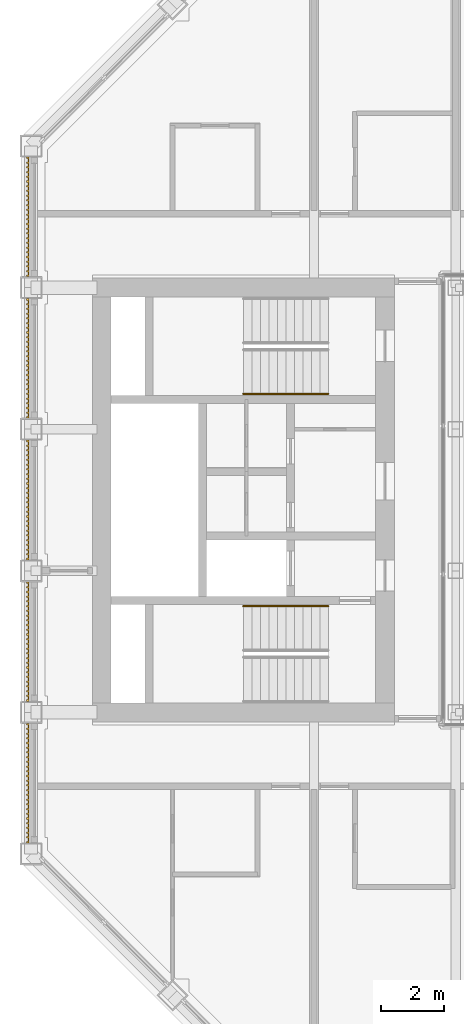
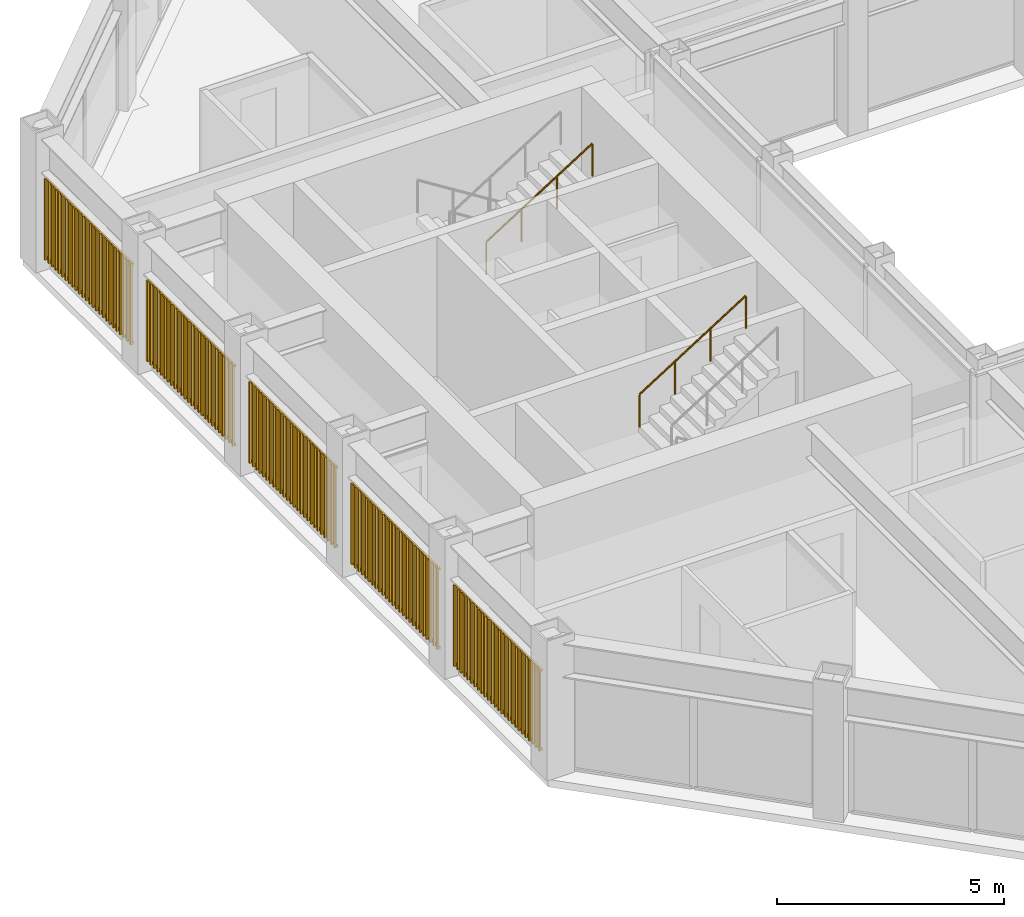
# One storey, part 15 of 17: 2 railings, 1 shading device.
"""IFC4 building model written with IfcOpenShell, lengths in metres."""

from ifc_helpers import new_model, si_unit, direction, frame, origin, origin_2d, place, context, subcontext, project, spatial, rectangle, circle, extrude, material, type_object, element, save


model = new_model("IFC4")

# Units and contexts
model_context = context("Model", 3, precision=1e-05, world=origin(), true_north=direction((0.0, 1.0)))
body_context = subcontext(model_context, "Body", "Model", "MODEL_VIEW")
ifc_project = project(units=[si_unit("LENGTHUNIT", "METRE"), si_unit("AREAUNIT", "SQUARE_METRE"), si_unit("VOLUMEUNIT", "CUBIC_METRE"), si_unit("PLANEANGLEUNIT", "RADIAN"), si_unit("MASSUNIT", "GRAM", prefix="KILO")], contexts=[model_context])

# Site, building, storey
site_placement = place(None, origin())
site = spatial("IfcSite", under=ifc_project, at=site_placement, CompositionType="ELEMENT")
building_placement = place(site_placement, origin())
building = spatial("IfcBuilding", under=site, at=building_placement, Name="Msasa Ring Tower", CompositionType="ELEMENT")
storey_placement = place(building_placement, frame((0.0, 0.0, 242.050048828125)))
storey = spatial("IfcBuildingStorey", under=building, at=storey_placement, Name="L63", CompositionType="ELEMENT", Elevation=242.050048828125)

# Shading device
ifc_material_1 = material(Name="Extruded terracotta on aluminium carriers", Category="masonry")
shading_device_type = type_object("IfcShadingDeviceType", Name="BS1 TERRACOTTA BAGUETTE SCREEN 50x50 AT 150", PredefinedType="USERDEFINED", material=ifc_material_1)
shading_device_placement = place(storey_placement, origin())
element("IfcShadingDevice", 1, at=shading_device_placement, inside=storey, type_object=shading_device_type, Name="Terracotta baguette screen W L63", ObjectType="BAGUETTE", PredefinedType="USERDEFINED", context=body_context, shape_type="SweptSolid", body=[
    extrude(rectangle(XDim=0.06005859375, YDim=0.0400390625, at=origin_2d()), frame((-20.330078125, -10.89990234375, 0.329833984375), z_axis=(0.0, 1.0, 0.0), x_axis=(0.0, 0.0, 1.0)), (0.0, 0.0, 1.0), 3.800048828125),
    extrude(rectangle(XDim=0.06005859375, YDim=0.0400390625, at=origin_2d()), frame((-20.330078125, -10.89990234375, 2.448974609375), z_axis=(0.0, 1.0, 0.0), x_axis=(0.0, 0.0, 1.0)), (0.0, 0.0, 1.0), 3.800048828125),
    extrude(rectangle(XDim=0.050048828125, YDim=0.050048828125, at=origin_2d()), frame((-20.3701171875, -10.875, 0.300048828125), z_axis=(0.0, 0.0, 1.0), x_axis=(0.0, 1.0, 0.0)), (0.0, 0.0, 1.0), 2.178955078125),
    extrude(rectangle(XDim=0.050048828125, YDim=0.050048828125, at=origin_2d()), frame((-20.3701171875, -10.72509765625, 0.300048828125), z_axis=(0.0, 0.0, 1.0), x_axis=(0.0, 1.0, 0.0)), (0.0, 0.0, 1.0), 2.178955078125),
    extrude(rectangle(XDim=0.050048828125, YDim=0.050048828125, at=origin_2d()), frame((-20.3701171875, -10.574951171875, 0.300048828125), z_axis=(0.0, 0.0, 1.0), x_axis=(0.0, 1.0, 0.0)), (0.0, 0.0, 1.0), 2.178955078125),
    extrude(rectangle(XDim=0.050048828125, YDim=0.050048828125, at=origin_2d()), frame((-20.3701171875, -10.425048828125, 0.300048828125), z_axis=(0.0, 0.0, 1.0), x_axis=(0.0, 1.0, 0.0)), (0.0, 0.0, 1.0), 2.178955078125),
    extrude(rectangle(XDim=0.050048828125, YDim=0.050048828125, at=origin_2d()), frame((-20.3701171875, -10.27490234375, 0.300048828125), z_axis=(0.0, 0.0, 1.0), x_axis=(0.0, 1.0, 0.0)), (0.0, 0.0, 1.0), 2.178955078125),
    extrude(rectangle(XDim=0.050048828125, YDim=0.050048828125, at=origin_2d()), frame((-20.3701171875, -10.125, 0.300048828125), z_axis=(0.0, 0.0, 1.0), x_axis=(0.0, 1.0, 0.0)), (0.0, 0.0, 1.0), 2.178955078125),
    extrude(rectangle(XDim=0.050048828125, YDim=0.050048828125, at=origin_2d()), frame((-20.3701171875, -9.97509765625, 0.300048828125), z_axis=(0.0, 0.0, 1.0), x_axis=(0.0, 1.0, 0.0)), (0.0, 0.0, 1.0), 2.178955078125),
    extrude(rectangle(XDim=0.050048828125, YDim=0.050048828125, at=origin_2d()), frame((-20.3701171875, -9.824951171875, 0.300048828125), z_axis=(0.0, 0.0, 1.0), x_axis=(0.0, 1.0, 0.0)), (0.0, 0.0, 1.0), 2.178955078125),
    extrude(rectangle(XDim=0.050048828125, YDim=0.050048828125, at=origin_2d()), frame((-20.3701171875, -9.675048828125, 0.300048828125), z_axis=(0.0, 0.0, 1.0), x_axis=(0.0, 1.0, 0.0)), (0.0, 0.0, 1.0), 2.178955078125),
    extrude(rectangle(XDim=0.050048828125, YDim=0.050048828125, at=origin_2d()), frame((-20.3701171875, -9.52490234375, 0.300048828125), z_axis=(0.0, 0.0, 1.0), x_axis=(0.0, 1.0, 0.0)), (0.0, 0.0, 1.0), 2.178955078125),
    extrude(rectangle(XDim=0.050048828125, YDim=0.050048828125, at=origin_2d()), frame((-20.3701171875, -9.375, 0.300048828125), z_axis=(0.0, 0.0, 1.0), x_axis=(0.0, 1.0, 0.0)), (0.0, 0.0, 1.0), 2.178955078125),
    extrude(rectangle(XDim=0.050048828125, YDim=0.050048828125, at=origin_2d()), frame((-20.3701171875, -9.22509765625, 0.300048828125), z_axis=(0.0, 0.0, 1.0), x_axis=(0.0, 1.0, 0.0)), (0.0, 0.0, 1.0), 2.178955078125),
    extrude(rectangle(XDim=0.050048828125, YDim=0.050048828125, at=origin_2d()), frame((-20.3701171875, -9.074951171875, 0.300048828125), z_axis=(0.0, 0.0, 1.0), x_axis=(0.0, 1.0, 0.0)), (0.0, 0.0, 1.0), 2.178955078125),
    extrude(rectangle(XDim=0.050048828125, YDim=0.050048828125, at=origin_2d()), frame((-20.3701171875, -8.925048828125, 0.300048828125), z_axis=(0.0, 0.0, 1.0), x_axis=(0.0, 1.0, 0.0)), (0.0, 0.0, 1.0), 2.178955078125),
    extrude(rectangle(XDim=0.050048828125, YDim=0.050048828125, at=origin_2d()), frame((-20.3701171875, -8.77490234375, 0.300048828125), z_axis=(0.0, 0.0, 1.0), x_axis=(0.0, 1.0, 0.0)), (0.0, 0.0, 1.0), 2.178955078125),
    extrude(rectangle(XDim=0.050048828125, YDim=0.050048828125, at=origin_2d()), frame((-20.3701171875, -8.625, 0.300048828125), z_axis=(0.0, 0.0, 1.0), x_axis=(0.0, 1.0, 0.0)), (0.0, 0.0, 1.0), 2.178955078125),
    extrude(rectangle(XDim=0.050048828125, YDim=0.050048828125, at=origin_2d()), frame((-20.3701171875, -8.47509765625, 0.300048828125), z_axis=(0.0, 0.0, 1.0), x_axis=(0.0, 1.0, 0.0)), (0.0, 0.0, 1.0), 2.178955078125),
    extrude(rectangle(XDim=0.050048828125, YDim=0.050048828125, at=origin_2d()), frame((-20.3701171875, -8.324951171875, 0.300048828125), z_axis=(0.0, 0.0, 1.0), x_axis=(0.0, 1.0, 0.0)), (0.0, 0.0, 1.0), 2.178955078125),
    extrude(rectangle(XDim=0.050048828125, YDim=0.050048828125, at=origin_2d()), frame((-20.3701171875, -8.175048828125, 0.300048828125), z_axis=(0.0, 0.0, 1.0), x_axis=(0.0, 1.0, 0.0)), (0.0, 0.0, 1.0), 2.178955078125),
    extrude(rectangle(XDim=0.050048828125, YDim=0.050048828125, at=origin_2d()), frame((-20.3701171875, -8.02490234375, 0.300048828125), z_axis=(0.0, 0.0, 1.0), x_axis=(0.0, 1.0, 0.0)), (0.0, 0.0, 1.0), 2.178955078125),
    extrude(rectangle(XDim=0.050048828125, YDim=0.050048828125, at=origin_2d()), frame((-20.3701171875, -7.875, 0.300048828125), z_axis=(0.0, 0.0, 1.0), x_axis=(0.0, 1.0, 0.0)), (0.0, 0.0, 1.0), 2.178955078125),
    extrude(rectangle(XDim=0.050048828125, YDim=0.050048828125, at=origin_2d()), frame((-20.3701171875, -7.72509765625, 0.300048828125), z_axis=(0.0, 0.0, 1.0), x_axis=(0.0, 1.0, 0.0)), (0.0, 0.0, 1.0), 2.178955078125),
    extrude(rectangle(XDim=0.050048828125, YDim=0.050048828125, at=origin_2d()), frame((-20.3701171875, -7.574951171875, 0.300048828125), z_axis=(0.0, 0.0, 1.0), x_axis=(0.0, 1.0, 0.0)), (0.0, 0.0, 1.0), 2.178955078125),
    extrude(rectangle(XDim=0.050048828125, YDim=0.050048828125, at=origin_2d()), frame((-20.3701171875, -7.425048828125, 0.300048828125), z_axis=(0.0, 0.0, 1.0), x_axis=(0.0, 1.0, 0.0)), (0.0, 0.0, 1.0), 2.178955078125),
    extrude(rectangle(XDim=0.050048828125, YDim=0.050048828125, at=origin_2d()), frame((-20.3701171875, -7.27490234375, 0.300048828125), z_axis=(0.0, 0.0, 1.0), x_axis=(0.0, 1.0, 0.0)), (0.0, 0.0, 1.0), 2.178955078125),
    extrude(rectangle(XDim=0.050048828125, YDim=0.050048828125, at=origin_2d()), frame((-20.3701171875, -7.125, 0.300048828125), z_axis=(0.0, 0.0, 1.0), x_axis=(0.0, 1.0, 0.0)), (0.0, 0.0, 1.0), 2.178955078125),
    extrude(rectangle(XDim=0.06005859375, YDim=0.0400390625, at=origin_2d()), frame((-20.330078125, -6.39990234375, 0.329833984375), z_axis=(0.0, 1.0, 0.0), x_axis=(0.0, 0.0, 1.0)), (0.0, 0.0, 1.0), 3.800048828125),
    extrude(rectangle(XDim=0.06005859375, YDim=0.0400390625, at=origin_2d()), frame((-20.330078125, -6.39990234375, 2.448974609375), z_axis=(0.0, 1.0, 0.0), x_axis=(0.0, 0.0, 1.0)), (0.0, 0.0, 1.0), 3.800048828125),
    extrude(rectangle(XDim=0.050048828125, YDim=0.050048828125, at=origin_2d()), frame((-20.3701171875, -6.375, 0.300048828125), z_axis=(0.0, 0.0, 1.0), x_axis=(0.0, 1.0, 0.0)), (0.0, 0.0, 1.0), 2.178955078125),
    extrude(rectangle(XDim=0.050048828125, YDim=0.050048828125, at=origin_2d()), frame((-20.3701171875, -6.22509765625, 0.300048828125), z_axis=(0.0, 0.0, 1.0), x_axis=(0.0, 1.0, 0.0)), (0.0, 0.0, 1.0), 2.178955078125),
    extrude(rectangle(XDim=0.050048828125, YDim=0.050048828125, at=origin_2d()), frame((-20.3701171875, -6.074951171875, 0.300048828125), z_axis=(0.0, 0.0, 1.0), x_axis=(0.0, 1.0, 0.0)), (0.0, 0.0, 1.0), 2.178955078125),
    extrude(rectangle(XDim=0.050048828125, YDim=0.050048828125, at=origin_2d()), frame((-20.3701171875, -5.925048828125, 0.300048828125), z_axis=(0.0, 0.0, 1.0), x_axis=(0.0, 1.0, 0.0)), (0.0, 0.0, 1.0), 2.178955078125),
    extrude(rectangle(XDim=0.050048828125, YDim=0.050048828125, at=origin_2d()), frame((-20.3701171875, -5.77490234375, 0.300048828125), z_axis=(0.0, 0.0, 1.0), x_axis=(0.0, 1.0, 0.0)), (0.0, 0.0, 1.0), 2.178955078125),
    extrude(rectangle(XDim=0.050048828125, YDim=0.050048828125, at=origin_2d()), frame((-20.3701171875, -5.625, 0.300048828125), z_axis=(0.0, 0.0, 1.0), x_axis=(0.0, 1.0, 0.0)), (0.0, 0.0, 1.0), 2.178955078125),
    extrude(rectangle(XDim=0.050048828125, YDim=0.050048828125, at=origin_2d()), frame((-20.3701171875, -5.47509765625, 0.300048828125), z_axis=(0.0, 0.0, 1.0), x_axis=(0.0, 1.0, 0.0)), (0.0, 0.0, 1.0), 2.178955078125),
    extrude(rectangle(XDim=0.050048828125, YDim=0.050048828125, at=origin_2d()), frame((-20.3701171875, -5.324951171875, 0.300048828125), z_axis=(0.0, 0.0, 1.0), x_axis=(0.0, 1.0, 0.0)), (0.0, 0.0, 1.0), 2.178955078125),
    extrude(rectangle(XDim=0.050048828125, YDim=0.050048828125, at=origin_2d()), frame((-20.3701171875, -5.175048828125, 0.300048828125), z_axis=(0.0, 0.0, 1.0), x_axis=(0.0, 1.0, 0.0)), (0.0, 0.0, 1.0), 2.178955078125),
    extrude(rectangle(XDim=0.050048828125, YDim=0.050048828125, at=origin_2d()), frame((-20.3701171875, -5.02490234375, 0.300048828125), z_axis=(0.0, 0.0, 1.0), x_axis=(0.0, 1.0, 0.0)), (0.0, 0.0, 1.0), 2.178955078125),
    extrude(rectangle(XDim=0.050048828125, YDim=0.050048828125, at=origin_2d()), frame((-20.3701171875, -4.875, 0.300048828125), z_axis=(0.0, 0.0, 1.0), x_axis=(0.0, 1.0, 0.0)), (0.0, 0.0, 1.0), 2.178955078125),
    extrude(rectangle(XDim=0.050048828125, YDim=0.050048828125, at=origin_2d()), frame((-20.3701171875, -4.72509765625, 0.300048828125), z_axis=(0.0, 0.0, 1.0), x_axis=(0.0, 1.0, 0.0)), (0.0, 0.0, 1.0), 2.178955078125),
    extrude(rectangle(XDim=0.050048828125, YDim=0.050048828125, at=origin_2d()), frame((-20.3701171875, -4.574951171875, 0.300048828125), z_axis=(0.0, 0.0, 1.0), x_axis=(0.0, 1.0, 0.0)), (0.0, 0.0, 1.0), 2.178955078125),
    extrude(rectangle(XDim=0.050048828125, YDim=0.050048828125, at=origin_2d()), frame((-20.3701171875, -4.425048828125, 0.300048828125), z_axis=(0.0, 0.0, 1.0), x_axis=(0.0, 1.0, 0.0)), (0.0, 0.0, 1.0), 2.178955078125),
    extrude(rectangle(XDim=0.050048828125, YDim=0.050048828125, at=origin_2d()), frame((-20.3701171875, -4.27490234375, 0.300048828125), z_axis=(0.0, 0.0, 1.0), x_axis=(0.0, 1.0, 0.0)), (0.0, 0.0, 1.0), 2.178955078125),
    extrude(rectangle(XDim=0.050048828125, YDim=0.050048828125, at=origin_2d()), frame((-20.3701171875, -4.125, 0.300048828125), z_axis=(0.0, 0.0, 1.0), x_axis=(0.0, 1.0, 0.0)), (0.0, 0.0, 1.0), 2.178955078125),
    extrude(rectangle(XDim=0.050048828125, YDim=0.050048828125, at=origin_2d()), frame((-20.3701171875, -3.97509765625, 0.300048828125), z_axis=(0.0, 0.0, 1.0), x_axis=(0.0, 1.0, 0.0)), (0.0, 0.0, 1.0), 2.178955078125),
    extrude(rectangle(XDim=0.050048828125, YDim=0.050048828125, at=origin_2d()), frame((-20.3701171875, -3.824951171875, 0.300048828125), z_axis=(0.0, 0.0, 1.0), x_axis=(0.0, 1.0, 0.0)), (0.0, 0.0, 1.0), 2.178955078125),
    extrude(rectangle(XDim=0.050048828125, YDim=0.050048828125, at=origin_2d()), frame((-20.3701171875, -3.675048828125, 0.300048828125), z_axis=(0.0, 0.0, 1.0), x_axis=(0.0, 1.0, 0.0)), (0.0, 0.0, 1.0), 2.178955078125),
    extrude(rectangle(XDim=0.050048828125, YDim=0.050048828125, at=origin_2d()), frame((-20.3701171875, -3.52490234375, 0.300048828125), z_axis=(0.0, 0.0, 1.0), x_axis=(0.0, 1.0, 0.0)), (0.0, 0.0, 1.0), 2.178955078125),
    extrude(rectangle(XDim=0.050048828125, YDim=0.050048828125, at=origin_2d()), frame((-20.3701171875, -3.375, 0.300048828125), z_axis=(0.0, 0.0, 1.0), x_axis=(0.0, 1.0, 0.0)), (0.0, 0.0, 1.0), 2.178955078125),
    extrude(rectangle(XDim=0.050048828125, YDim=0.050048828125, at=origin_2d()), frame((-20.3701171875, -3.22509765625, 0.300048828125), z_axis=(0.0, 0.0, 1.0), x_axis=(0.0, 1.0, 0.0)), (0.0, 0.0, 1.0), 2.178955078125),
    extrude(rectangle(XDim=0.050048828125, YDim=0.050048828125, at=origin_2d()), frame((-20.3701171875, -3.074951171875, 0.300048828125), z_axis=(0.0, 0.0, 1.0), x_axis=(0.0, 1.0, 0.0)), (0.0, 0.0, 1.0), 2.178955078125),
    extrude(rectangle(XDim=0.050048828125, YDim=0.050048828125, at=origin_2d()), frame((-20.3701171875, -2.925048828125, 0.300048828125), z_axis=(0.0, 0.0, 1.0), x_axis=(0.0, 1.0, 0.0)), (0.0, 0.0, 1.0), 2.178955078125),
    extrude(rectangle(XDim=0.050048828125, YDim=0.050048828125, at=origin_2d()), frame((-20.3701171875, -2.77490234375, 0.300048828125), z_axis=(0.0, 0.0, 1.0), x_axis=(0.0, 1.0, 0.0)), (0.0, 0.0, 1.0), 2.178955078125),
    extrude(rectangle(XDim=0.050048828125, YDim=0.050048828125, at=origin_2d()), frame((-20.3701171875, -2.625, 0.300048828125), z_axis=(0.0, 0.0, 1.0), x_axis=(0.0, 1.0, 0.0)), (0.0, 0.0, 1.0), 2.178955078125),
    extrude(rectangle(XDim=0.06005859375, YDim=0.0400390625, at=origin_2d()), frame((-20.330078125, -1.89990234375, 0.329833984375), z_axis=(0.0, 1.0, 0.0), x_axis=(0.0, 0.0, 1.0)), (0.0, 0.0, 1.0), 3.800048828125),
    extrude(rectangle(XDim=0.06005859375, YDim=0.0400390625, at=origin_2d()), frame((-20.330078125, -1.89990234375, 2.448974609375), z_axis=(0.0, 1.0, 0.0), x_axis=(0.0, 0.0, 1.0)), (0.0, 0.0, 1.0), 3.800048828125),
    extrude(rectangle(XDim=0.050048828125, YDim=0.050048828125, at=origin_2d()), frame((-20.3701171875, -1.875, 0.300048828125), z_axis=(0.0, 0.0, 1.0), x_axis=(0.0, 1.0, 0.0)), (0.0, 0.0, 1.0), 2.178955078125),
    extrude(rectangle(XDim=0.050048828125, YDim=0.050048828125, at=origin_2d()), frame((-20.3701171875, -1.72509765625, 0.300048828125), z_axis=(0.0, 0.0, 1.0), x_axis=(0.0, 1.0, 0.0)), (0.0, 0.0, 1.0), 2.178955078125),
    extrude(rectangle(XDim=0.050048828125, YDim=0.050048828125, at=origin_2d()), frame((-20.3701171875, -1.574951171875, 0.300048828125), z_axis=(0.0, 0.0, 1.0), x_axis=(0.0, 1.0, 0.0)), (0.0, 0.0, 1.0), 2.178955078125),
    extrude(rectangle(XDim=0.050048828125, YDim=0.050048828125, at=origin_2d()), frame((-20.3701171875, -1.425048828125, 0.300048828125), z_axis=(0.0, 0.0, 1.0), x_axis=(0.0, 1.0, 0.0)), (0.0, 0.0, 1.0), 2.178955078125),
    extrude(rectangle(XDim=0.050048828125, YDim=0.050048828125, at=origin_2d()), frame((-20.3701171875, -1.27490234375, 0.300048828125), z_axis=(0.0, 0.0, 1.0), x_axis=(0.0, 1.0, 0.0)), (0.0, 0.0, 1.0), 2.178955078125),
    extrude(rectangle(XDim=0.050048828125, YDim=0.050048828125, at=origin_2d()), frame((-20.3701171875, -1.125, 0.300048828125), z_axis=(0.0, 0.0, 1.0), x_axis=(0.0, 1.0, 0.0)), (0.0, 0.0, 1.0), 2.178955078125),
    extrude(rectangle(XDim=0.050048828125, YDim=0.050048828125, at=origin_2d()), frame((-20.3701171875, -0.97509765625, 0.300048828125), z_axis=(0.0, 0.0, 1.0), x_axis=(0.0, 1.0, 0.0)), (0.0, 0.0, 1.0), 2.178955078125),
    extrude(rectangle(XDim=0.050048828125, YDim=0.050048828125, at=origin_2d()), frame((-20.3701171875, -0.824951171875, 0.300048828125), z_axis=(0.0, 0.0, 1.0), x_axis=(0.0, 1.0, 0.0)), (0.0, 0.0, 1.0), 2.178955078125),
    extrude(rectangle(XDim=0.050048828125, YDim=0.050048828125, at=origin_2d()), frame((-20.3701171875, -0.675048828125, 0.300048828125), z_axis=(0.0, 0.0, 1.0), x_axis=(0.0, 1.0, 0.0)), (0.0, 0.0, 1.0), 2.178955078125),
    extrude(rectangle(XDim=0.050048828125, YDim=0.050048828125, at=origin_2d()), frame((-20.3701171875, -0.52490234375, 0.300048828125), z_axis=(0.0, 0.0, 1.0), x_axis=(0.0, 1.0, 0.0)), (0.0, 0.0, 1.0), 2.178955078125),
    extrude(rectangle(XDim=0.050048828125, YDim=0.050048828125, at=origin_2d()), frame((-20.3701171875, -0.375, 0.300048828125), z_axis=(0.0, 0.0, 1.0), x_axis=(0.0, 1.0, 0.0)), (0.0, 0.0, 1.0), 2.178955078125),
    extrude(rectangle(XDim=0.050048828125, YDim=0.050048828125, at=origin_2d()), frame((-20.3701171875, -0.22509765625, 0.300048828125), z_axis=(0.0, 0.0, 1.0), x_axis=(0.0, 1.0, 0.0)), (0.0, 0.0, 1.0), 2.178955078125),
    extrude(rectangle(XDim=0.050048828125, YDim=0.050048828125, at=origin_2d()), frame((-20.3701171875, -0.074951171875, 0.300048828125), z_axis=(0.0, 0.0, 1.0), x_axis=(0.0, 1.0, 0.0)), (0.0, 0.0, 1.0), 2.178955078125),
    extrude(rectangle(XDim=0.050048828125, YDim=0.050048828125, at=origin_2d()), frame((-20.3701171875, 0.074951171875, 0.300048828125), z_axis=(0.0, 0.0, 1.0), x_axis=(0.0, 1.0, 0.0)), (0.0, 0.0, 1.0), 2.178955078125),
    extrude(rectangle(XDim=0.050048828125, YDim=0.050048828125, at=origin_2d()), frame((-20.3701171875, 0.22509765625, 0.300048828125), z_axis=(0.0, 0.0, 1.0), x_axis=(0.0, 1.0, 0.0)), (0.0, 0.0, 1.0), 2.178955078125),
    extrude(rectangle(XDim=0.050048828125, YDim=0.050048828125, at=origin_2d()), frame((-20.3701171875, 0.375, 0.300048828125), z_axis=(0.0, 0.0, 1.0), x_axis=(0.0, 1.0, 0.0)), (0.0, 0.0, 1.0), 2.178955078125),
    extrude(rectangle(XDim=0.050048828125, YDim=0.050048828125, at=origin_2d()), frame((-20.3701171875, 0.52490234375, 0.300048828125), z_axis=(0.0, 0.0, 1.0), x_axis=(0.0, 1.0, 0.0)), (0.0, 0.0, 1.0), 2.178955078125),
    extrude(rectangle(XDim=0.050048828125, YDim=0.050048828125, at=origin_2d()), frame((-20.3701171875, 0.675048828125, 0.300048828125), z_axis=(0.0, 0.0, 1.0), x_axis=(0.0, 1.0, 0.0)), (0.0, 0.0, 1.0), 2.178955078125),
    extrude(rectangle(XDim=0.050048828125, YDim=0.050048828125, at=origin_2d()), frame((-20.3701171875, 0.824951171875, 0.300048828125), z_axis=(0.0, 0.0, 1.0), x_axis=(0.0, 1.0, 0.0)), (0.0, 0.0, 1.0), 2.178955078125),
    extrude(rectangle(XDim=0.050048828125, YDim=0.050048828125, at=origin_2d()), frame((-20.3701171875, 0.97509765625, 0.300048828125), z_axis=(0.0, 0.0, 1.0), x_axis=(0.0, 1.0, 0.0)), (0.0, 0.0, 1.0), 2.178955078125),
    extrude(rectangle(XDim=0.050048828125, YDim=0.050048828125, at=origin_2d()), frame((-20.3701171875, 1.125, 0.300048828125), z_axis=(0.0, 0.0, 1.0), x_axis=(0.0, 1.0, 0.0)), (0.0, 0.0, 1.0), 2.178955078125),
    extrude(rectangle(XDim=0.050048828125, YDim=0.050048828125, at=origin_2d()), frame((-20.3701171875, 1.27490234375, 0.300048828125), z_axis=(0.0, 0.0, 1.0), x_axis=(0.0, 1.0, 0.0)), (0.0, 0.0, 1.0), 2.178955078125),
    extrude(rectangle(XDim=0.050048828125, YDim=0.050048828125, at=origin_2d()), frame((-20.3701171875, 1.425048828125, 0.300048828125), z_axis=(0.0, 0.0, 1.0), x_axis=(0.0, 1.0, 0.0)), (0.0, 0.0, 1.0), 2.178955078125),
    extrude(rectangle(XDim=0.050048828125, YDim=0.050048828125, at=origin_2d()), frame((-20.3701171875, 1.574951171875, 0.300048828125), z_axis=(0.0, 0.0, 1.0), x_axis=(0.0, 1.0, 0.0)), (0.0, 0.0, 1.0), 2.178955078125),
    extrude(rectangle(XDim=0.050048828125, YDim=0.050048828125, at=origin_2d()), frame((-20.3701171875, 1.72509765625, 0.300048828125), z_axis=(0.0, 0.0, 1.0), x_axis=(0.0, 1.0, 0.0)), (0.0, 0.0, 1.0), 2.178955078125),
    extrude(rectangle(XDim=0.050048828125, YDim=0.050048828125, at=origin_2d()), frame((-20.3701171875, 1.875, 0.300048828125), z_axis=(0.0, 0.0, 1.0), x_axis=(0.0, 1.0, 0.0)), (0.0, 0.0, 1.0), 2.178955078125),
    extrude(rectangle(XDim=0.06005859375, YDim=0.0400390625, at=origin_2d()), frame((-20.330078125, 2.60009765625, 0.329833984375), z_axis=(0.0, 1.0, 0.0), x_axis=(0.0, 0.0, 1.0)), (0.0, 0.0, 1.0), 3.800048828125),
    extrude(rectangle(XDim=0.06005859375, YDim=0.0400390625, at=origin_2d()), frame((-20.330078125, 2.60009765625, 2.448974609375), z_axis=(0.0, 1.0, 0.0), x_axis=(0.0, 0.0, 1.0)), (0.0, 0.0, 1.0), 3.800048828125),
    extrude(rectangle(XDim=0.050048828125, YDim=0.050048828125, at=origin_2d()), frame((-20.3701171875, 2.625, 0.300048828125), z_axis=(0.0, 0.0, 1.0), x_axis=(0.0, 1.0, 0.0)), (0.0, 0.0, 1.0), 2.178955078125),
    extrude(rectangle(XDim=0.050048828125, YDim=0.050048828125, at=origin_2d()), frame((-20.3701171875, 2.77490234375, 0.300048828125), z_axis=(0.0, 0.0, 1.0), x_axis=(0.0, 1.0, 0.0)), (0.0, 0.0, 1.0), 2.178955078125),
    extrude(rectangle(XDim=0.050048828125, YDim=0.050048828125, at=origin_2d()), frame((-20.3701171875, 2.925048828125, 0.300048828125), z_axis=(0.0, 0.0, 1.0), x_axis=(0.0, 1.0, 0.0)), (0.0, 0.0, 1.0), 2.178955078125),
    extrude(rectangle(XDim=0.050048828125, YDim=0.050048828125, at=origin_2d()), frame((-20.3701171875, 3.074951171875, 0.300048828125), z_axis=(0.0, 0.0, 1.0), x_axis=(0.0, 1.0, 0.0)), (0.0, 0.0, 1.0), 2.178955078125),
    extrude(rectangle(XDim=0.050048828125, YDim=0.050048828125, at=origin_2d()), frame((-20.3701171875, 3.22509765625, 0.300048828125), z_axis=(0.0, 0.0, 1.0), x_axis=(0.0, 1.0, 0.0)), (0.0, 0.0, 1.0), 2.178955078125),
    extrude(rectangle(XDim=0.050048828125, YDim=0.050048828125, at=origin_2d()), frame((-20.3701171875, 3.375, 0.300048828125), z_axis=(0.0, 0.0, 1.0), x_axis=(0.0, 1.0, 0.0)), (0.0, 0.0, 1.0), 2.178955078125),
    extrude(rectangle(XDim=0.050048828125, YDim=0.050048828125, at=origin_2d()), frame((-20.3701171875, 3.52490234375, 0.300048828125), z_axis=(0.0, 0.0, 1.0), x_axis=(0.0, 1.0, 0.0)), (0.0, 0.0, 1.0), 2.178955078125),
    extrude(rectangle(XDim=0.050048828125, YDim=0.050048828125, at=origin_2d()), frame((-20.3701171875, 3.675048828125, 0.300048828125), z_axis=(0.0, 0.0, 1.0), x_axis=(0.0, 1.0, 0.0)), (0.0, 0.0, 1.0), 2.178955078125),
    extrude(rectangle(XDim=0.050048828125, YDim=0.050048828125, at=origin_2d()), frame((-20.3701171875, 3.824951171875, 0.300048828125), z_axis=(0.0, 0.0, 1.0), x_axis=(0.0, 1.0, 0.0)), (0.0, 0.0, 1.0), 2.178955078125),
    extrude(rectangle(XDim=0.050048828125, YDim=0.050048828125, at=origin_2d()), frame((-20.3701171875, 3.97509765625, 0.300048828125), z_axis=(0.0, 0.0, 1.0), x_axis=(0.0, 1.0, 0.0)), (0.0, 0.0, 1.0), 2.178955078125),
    extrude(rectangle(XDim=0.050048828125, YDim=0.050048828125, at=origin_2d()), frame((-20.3701171875, 4.125, 0.300048828125), z_axis=(0.0, 0.0, 1.0), x_axis=(0.0, 1.0, 0.0)), (0.0, 0.0, 1.0), 2.178955078125),
    extrude(rectangle(XDim=0.050048828125, YDim=0.050048828125, at=origin_2d()), frame((-20.3701171875, 4.27490234375, 0.300048828125), z_axis=(0.0, 0.0, 1.0), x_axis=(0.0, 1.0, 0.0)), (0.0, 0.0, 1.0), 2.178955078125),
    extrude(rectangle(XDim=0.050048828125, YDim=0.050048828125, at=origin_2d()), frame((-20.3701171875, 4.425048828125, 0.300048828125), z_axis=(0.0, 0.0, 1.0), x_axis=(0.0, 1.0, 0.0)), (0.0, 0.0, 1.0), 2.178955078125),
    extrude(rectangle(XDim=0.050048828125, YDim=0.050048828125, at=origin_2d()), frame((-20.3701171875, 4.574951171875, 0.300048828125), z_axis=(0.0, 0.0, 1.0), x_axis=(0.0, 1.0, 0.0)), (0.0, 0.0, 1.0), 2.178955078125),
    extrude(rectangle(XDim=0.050048828125, YDim=0.050048828125, at=origin_2d()), frame((-20.3701171875, 4.72509765625, 0.300048828125), z_axis=(0.0, 0.0, 1.0), x_axis=(0.0, 1.0, 0.0)), (0.0, 0.0, 1.0), 2.178955078125),
    extrude(rectangle(XDim=0.050048828125, YDim=0.050048828125, at=origin_2d()), frame((-20.3701171875, 4.875, 0.300048828125), z_axis=(0.0, 0.0, 1.0), x_axis=(0.0, 1.0, 0.0)), (0.0, 0.0, 1.0), 2.178955078125),
    extrude(rectangle(XDim=0.050048828125, YDim=0.050048828125, at=origin_2d()), frame((-20.3701171875, 5.02490234375, 0.300048828125), z_axis=(0.0, 0.0, 1.0), x_axis=(0.0, 1.0, 0.0)), (0.0, 0.0, 1.0), 2.178955078125),
    extrude(rectangle(XDim=0.050048828125, YDim=0.050048828125, at=origin_2d()), frame((-20.3701171875, 5.175048828125, 0.300048828125), z_axis=(0.0, 0.0, 1.0), x_axis=(0.0, 1.0, 0.0)), (0.0, 0.0, 1.0), 2.178955078125),
    extrude(rectangle(XDim=0.050048828125, YDim=0.050048828125, at=origin_2d()), frame((-20.3701171875, 5.324951171875, 0.300048828125), z_axis=(0.0, 0.0, 1.0), x_axis=(0.0, 1.0, 0.0)), (0.0, 0.0, 1.0), 2.178955078125),
    extrude(rectangle(XDim=0.050048828125, YDim=0.050048828125, at=origin_2d()), frame((-20.3701171875, 5.47509765625, 0.300048828125), z_axis=(0.0, 0.0, 1.0), x_axis=(0.0, 1.0, 0.0)), (0.0, 0.0, 1.0), 2.178955078125),
    extrude(rectangle(XDim=0.050048828125, YDim=0.050048828125, at=origin_2d()), frame((-20.3701171875, 5.625, 0.300048828125), z_axis=(0.0, 0.0, 1.0), x_axis=(0.0, 1.0, 0.0)), (0.0, 0.0, 1.0), 2.178955078125),
    extrude(rectangle(XDim=0.050048828125, YDim=0.050048828125, at=origin_2d()), frame((-20.3701171875, 5.77490234375, 0.300048828125), z_axis=(0.0, 0.0, 1.0), x_axis=(0.0, 1.0, 0.0)), (0.0, 0.0, 1.0), 2.178955078125),
    extrude(rectangle(XDim=0.050048828125, YDim=0.050048828125, at=origin_2d()), frame((-20.3701171875, 5.925048828125, 0.300048828125), z_axis=(0.0, 0.0, 1.0), x_axis=(0.0, 1.0, 0.0)), (0.0, 0.0, 1.0), 2.178955078125),
    extrude(rectangle(XDim=0.050048828125, YDim=0.050048828125, at=origin_2d()), frame((-20.3701171875, 6.074951171875, 0.300048828125), z_axis=(0.0, 0.0, 1.0), x_axis=(0.0, 1.0, 0.0)), (0.0, 0.0, 1.0), 2.178955078125),
    extrude(rectangle(XDim=0.050048828125, YDim=0.050048828125, at=origin_2d()), frame((-20.3701171875, 6.22509765625, 0.300048828125), z_axis=(0.0, 0.0, 1.0), x_axis=(0.0, 1.0, 0.0)), (0.0, 0.0, 1.0), 2.178955078125),
    extrude(rectangle(XDim=0.050048828125, YDim=0.050048828125, at=origin_2d()), frame((-20.3701171875, 6.375, 0.300048828125), z_axis=(0.0, 0.0, 1.0), x_axis=(0.0, 1.0, 0.0)), (0.0, 0.0, 1.0), 2.178955078125),
    extrude(rectangle(XDim=0.06005859375, YDim=0.0400390625, at=origin_2d()), frame((-20.330078125, 7.10009765625, 0.329833984375), z_axis=(0.0, 1.0, 0.0), x_axis=(0.0, 0.0, 1.0)), (0.0, 0.0, 1.0), 3.800048828125),
    extrude(rectangle(XDim=0.06005859375, YDim=0.0400390625, at=origin_2d()), frame((-20.330078125, 7.10009765625, 2.448974609375), z_axis=(0.0, 1.0, 0.0), x_axis=(0.0, 0.0, 1.0)), (0.0, 0.0, 1.0), 3.800048828125),
    extrude(rectangle(XDim=0.050048828125, YDim=0.050048828125, at=origin_2d()), frame((-20.3701171875, 7.125, 0.300048828125), z_axis=(0.0, 0.0, 1.0), x_axis=(0.0, 1.0, 0.0)), (0.0, 0.0, 1.0), 2.178955078125),
    extrude(rectangle(XDim=0.050048828125, YDim=0.050048828125, at=origin_2d()), frame((-20.3701171875, 7.27490234375, 0.300048828125), z_axis=(0.0, 0.0, 1.0), x_axis=(0.0, 1.0, 0.0)), (0.0, 0.0, 1.0), 2.178955078125),
    extrude(rectangle(XDim=0.050048828125, YDim=0.050048828125, at=origin_2d()), frame((-20.3701171875, 7.425048828125, 0.300048828125), z_axis=(0.0, 0.0, 1.0), x_axis=(0.0, 1.0, 0.0)), (0.0, 0.0, 1.0), 2.178955078125),
    extrude(rectangle(XDim=0.050048828125, YDim=0.050048828125, at=origin_2d()), frame((-20.3701171875, 7.574951171875, 0.300048828125), z_axis=(0.0, 0.0, 1.0), x_axis=(0.0, 1.0, 0.0)), (0.0, 0.0, 1.0), 2.178955078125),
    extrude(rectangle(XDim=0.050048828125, YDim=0.050048828125, at=origin_2d()), frame((-20.3701171875, 7.72509765625, 0.300048828125), z_axis=(0.0, 0.0, 1.0), x_axis=(0.0, 1.0, 0.0)), (0.0, 0.0, 1.0), 2.178955078125),
    extrude(rectangle(XDim=0.050048828125, YDim=0.050048828125, at=origin_2d()), frame((-20.3701171875, 7.875, 0.300048828125), z_axis=(0.0, 0.0, 1.0), x_axis=(0.0, 1.0, 0.0)), (0.0, 0.0, 1.0), 2.178955078125),
    extrude(rectangle(XDim=0.050048828125, YDim=0.050048828125, at=origin_2d()), frame((-20.3701171875, 8.02490234375, 0.300048828125), z_axis=(0.0, 0.0, 1.0), x_axis=(0.0, 1.0, 0.0)), (0.0, 0.0, 1.0), 2.178955078125),
    extrude(rectangle(XDim=0.050048828125, YDim=0.050048828125, at=origin_2d()), frame((-20.3701171875, 8.175048828125, 0.300048828125), z_axis=(0.0, 0.0, 1.0), x_axis=(0.0, 1.0, 0.0)), (0.0, 0.0, 1.0), 2.178955078125),
    extrude(rectangle(XDim=0.050048828125, YDim=0.050048828125, at=origin_2d()), frame((-20.3701171875, 8.324951171875, 0.300048828125), z_axis=(0.0, 0.0, 1.0), x_axis=(0.0, 1.0, 0.0)), (0.0, 0.0, 1.0), 2.178955078125),
    extrude(rectangle(XDim=0.050048828125, YDim=0.050048828125, at=origin_2d()), frame((-20.3701171875, 8.47509765625, 0.300048828125), z_axis=(0.0, 0.0, 1.0), x_axis=(0.0, 1.0, 0.0)), (0.0, 0.0, 1.0), 2.178955078125),
    extrude(rectangle(XDim=0.050048828125, YDim=0.050048828125, at=origin_2d()), frame((-20.3701171875, 8.625, 0.300048828125), z_axis=(0.0, 0.0, 1.0), x_axis=(0.0, 1.0, 0.0)), (0.0, 0.0, 1.0), 2.178955078125),
    extrude(rectangle(XDim=0.050048828125, YDim=0.050048828125, at=origin_2d()), frame((-20.3701171875, 8.77490234375, 0.300048828125), z_axis=(0.0, 0.0, 1.0), x_axis=(0.0, 1.0, 0.0)), (0.0, 0.0, 1.0), 2.178955078125),
    extrude(rectangle(XDim=0.050048828125, YDim=0.050048828125, at=origin_2d()), frame((-20.3701171875, 8.925048828125, 0.300048828125), z_axis=(0.0, 0.0, 1.0), x_axis=(0.0, 1.0, 0.0)), (0.0, 0.0, 1.0), 2.178955078125),
    extrude(rectangle(XDim=0.050048828125, YDim=0.050048828125, at=origin_2d()), frame((-20.3701171875, 9.074951171875, 0.300048828125), z_axis=(0.0, 0.0, 1.0), x_axis=(0.0, 1.0, 0.0)), (0.0, 0.0, 1.0), 2.178955078125),
    extrude(rectangle(XDim=0.050048828125, YDim=0.050048828125, at=origin_2d()), frame((-20.3701171875, 9.22509765625, 0.300048828125), z_axis=(0.0, 0.0, 1.0), x_axis=(0.0, 1.0, 0.0)), (0.0, 0.0, 1.0), 2.178955078125),
    extrude(rectangle(XDim=0.050048828125, YDim=0.050048828125, at=origin_2d()), frame((-20.3701171875, 9.375, 0.300048828125), z_axis=(0.0, 0.0, 1.0), x_axis=(0.0, 1.0, 0.0)), (0.0, 0.0, 1.0), 2.178955078125),
    extrude(rectangle(XDim=0.050048828125, YDim=0.050048828125, at=origin_2d()), frame((-20.3701171875, 9.52490234375, 0.300048828125), z_axis=(0.0, 0.0, 1.0), x_axis=(0.0, 1.0, 0.0)), (0.0, 0.0, 1.0), 2.178955078125),
    extrude(rectangle(XDim=0.050048828125, YDim=0.050048828125, at=origin_2d()), frame((-20.3701171875, 9.675048828125, 0.300048828125), z_axis=(0.0, 0.0, 1.0), x_axis=(0.0, 1.0, 0.0)), (0.0, 0.0, 1.0), 2.178955078125),
    extrude(rectangle(XDim=0.050048828125, YDim=0.050048828125, at=origin_2d()), frame((-20.3701171875, 9.824951171875, 0.300048828125), z_axis=(0.0, 0.0, 1.0), x_axis=(0.0, 1.0, 0.0)), (0.0, 0.0, 1.0), 2.178955078125),
    extrude(rectangle(XDim=0.050048828125, YDim=0.050048828125, at=origin_2d()), frame((-20.3701171875, 9.97509765625, 0.300048828125), z_axis=(0.0, 0.0, 1.0), x_axis=(0.0, 1.0, 0.0)), (0.0, 0.0, 1.0), 2.178955078125),
    extrude(rectangle(XDim=0.050048828125, YDim=0.050048828125, at=origin_2d()), frame((-20.3701171875, 10.125, 0.300048828125), z_axis=(0.0, 0.0, 1.0), x_axis=(0.0, 1.0, 0.0)), (0.0, 0.0, 1.0), 2.178955078125),
    extrude(rectangle(XDim=0.050048828125, YDim=0.050048828125, at=origin_2d()), frame((-20.3701171875, 10.27490234375, 0.300048828125), z_axis=(0.0, 0.0, 1.0), x_axis=(0.0, 1.0, 0.0)), (0.0, 0.0, 1.0), 2.178955078125),
    extrude(rectangle(XDim=0.050048828125, YDim=0.050048828125, at=origin_2d()), frame((-20.3701171875, 10.425048828125, 0.300048828125), z_axis=(0.0, 0.0, 1.0), x_axis=(0.0, 1.0, 0.0)), (0.0, 0.0, 1.0), 2.178955078125),
    extrude(rectangle(XDim=0.050048828125, YDim=0.050048828125, at=origin_2d()), frame((-20.3701171875, 10.574951171875, 0.300048828125), z_axis=(0.0, 0.0, 1.0), x_axis=(0.0, 1.0, 0.0)), (0.0, 0.0, 1.0), 2.178955078125),
    extrude(rectangle(XDim=0.050048828125, YDim=0.050048828125, at=origin_2d()), frame((-20.3701171875, 10.72509765625, 0.300048828125), z_axis=(0.0, 0.0, 1.0), x_axis=(0.0, 1.0, 0.0)), (0.0, 0.0, 1.0), 2.178955078125),
    extrude(rectangle(XDim=0.050048828125, YDim=0.050048828125, at=origin_2d()), frame((-20.3701171875, 10.875, 0.300048828125), z_axis=(0.0, 0.0, 1.0), x_axis=(0.0, 1.0, 0.0)), (0.0, 0.0, 1.0), 2.178955078125),
])

# Railings
ifc_material_2 = material(Name="Stainless steel", Category="steel")
railing_type = type_object("IfcRailingType", Name="HR1 HANDRAIL 900", PredefinedType="HANDRAIL", material=ifc_material_2)
for number, where, name in (
    (2, (-13.5, -3.375, 2.04541015625), "Handrail stair SWA L63 4"),
    (3, (-13.5, 3.375, 2.04541015625), "Handrail stair SWB L63 3"),
):
    element("IfcRailing", number, at=place(storey_placement, frame(where)), inside=storey, type_object=railing_type, Name=name, PredefinedType="HANDRAIL", context=body_context, shape_type="SweptSolid", body=[
        extrude(circle(Radius=0.02392578125, at=origin_2d()), frame((0.0, 0.0, 0.8759765625), z_axis=(0.845579735284, 0.0, 0.533849146555), x_axis=(0.0, 1.0, 0.0)), (0.0, 0.0, 1.0), 3.193115234375),
        extrude(circle(Radius=0.02099609375, at=origin_2d()), origin(), (0.0, 0.0, 1.0), 0.851806640625),
        extrude(circle(Radius=0.02099609375, at=origin_2d()), frame((0.89990234375, 0.0, 0.568115234375)), (0.0, 0.0, 1.0), 0.851806640625),
        extrude(circle(Radius=0.02099609375, at=origin_2d()), frame((1.800048828125, 0.0, 1.136474609375)), (0.0, 0.0, 1.0), 0.851806640625),
        extrude(circle(Radius=0.02099609375, at=origin_2d()), frame((2.699951171875, 0.0, 1.70458984375)), (0.0, 0.0, 1.0), 0.851806640625),
    ])

save(model, "model.ifc")
